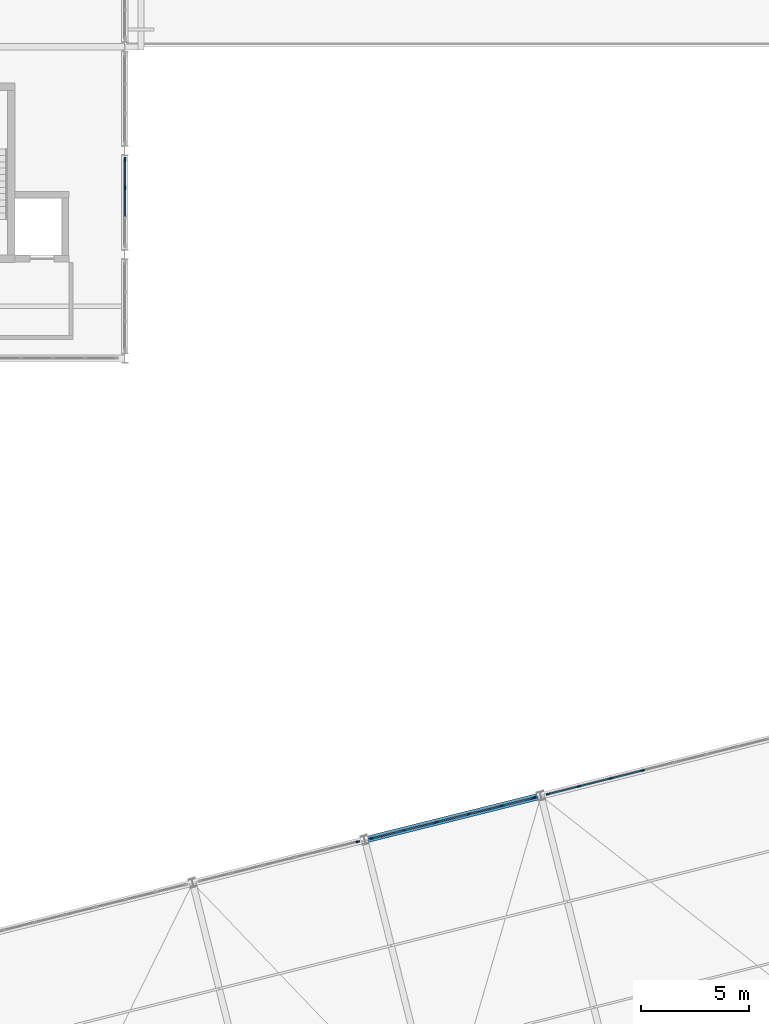
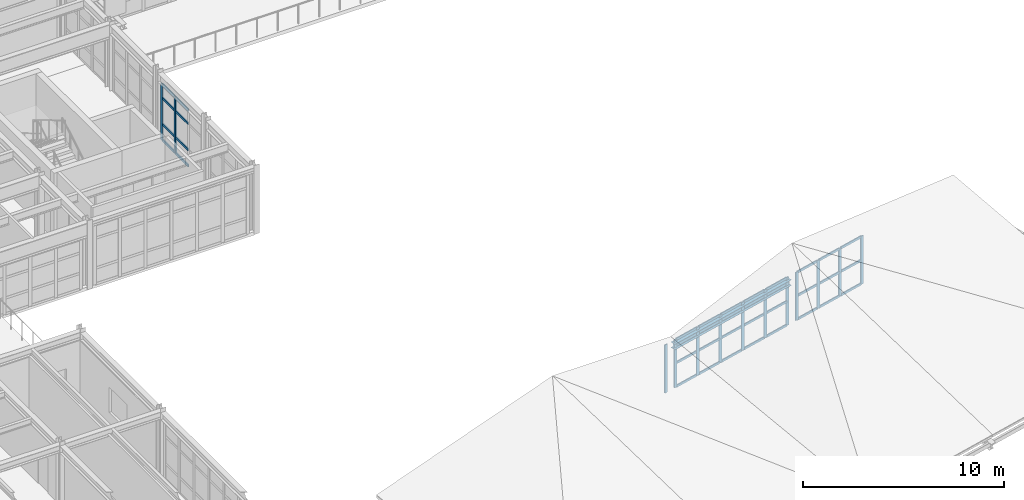
# One storey, part 16 of 47: 45 members, 1 beam, 4 elements without a shape of their own.
"""IFC4 building model written with IfcOpenShell, lengths in metres."""

from ifc_helpers import new_model, si_unit, direction, frame, origin, origin_2d, place, context, subcontext, project, spatial, rectangle, i_section, extrude, material, layer, layer_set, material_profile, profile_set, type_object, element, aggregate, save


model = new_model("IFC4")

# Units and contexts
model_context = context("Model", 3, precision=1e-05, world=origin(), true_north=direction((0.0, 1.0)))
body_context = subcontext(model_context, "Body", "Model", "MODEL_VIEW")
ifc_project = project(units=[si_unit("LENGTHUNIT", "METRE"), si_unit("AREAUNIT", "SQUARE_METRE"), si_unit("VOLUMEUNIT", "CUBIC_METRE"), si_unit("PLANEANGLEUNIT", "RADIAN"), si_unit("MASSUNIT", "GRAM", prefix="KILO")], contexts=[model_context])

# Site, building, storey
site_placement = place(None, origin())
site = spatial("IfcSite", under=ifc_project, at=site_placement, CompositionType="ELEMENT")
building_placement = place(site_placement, origin())
building = spatial("IfcBuilding", under=site, at=building_placement, Name="Nordkorset Police Headquarters", CompositionType="ELEMENT")
storey_placement = place(building_placement, frame((0.0, 0.0, 22.050048828125)))
storey = spatial("IfcBuildingStorey", under=building, at=storey_placement, Name="L05", CompositionType="ELEMENT", Elevation=22.050048828125)

# Curtain wall, members
ifc_material_1 = material(Name="Aluminium alloy AW-6060", Category="aluminium")
ifc_layer_1 = layer(ifc_material_1, 0.179931640625, Name="Aluminium alloy AW-6060")
ifc_layer_set_1 = layer_set([ifc_layer_1], Name="Aluminium alloy AW-6060")
curtain_wall_type_1 = type_object("IfcCurtainWallType", Name="CW_Unit_408x344", PredefinedType="USERDEFINED", material=ifc_layer_set_1)
curtain_wall_1_placement = place(storey_placement, origin())
curtain_wall_1 = element("IfcCurtainWall", 1, at=curtain_wall_1_placement, inside=storey, type_object=curtain_wall_type_1, Name="Unitised Curtain Wall L05 V1E-1", ObjectType="UNITISED CURTAIN WALL", PredefinedType="USERDEFINED")
ifc_material_2 = material(Name="Aluminium alloy AW-6060", Category="aluminium")
ifc_material_profile_1 = material_profile(ifc_material_2, rectangle(XDim=0.06494140625, YDim=0.179931640625, at=origin_2d()), Name="ALU MULL 65x180")
ifc_profile_set_1 = profile_set([ifc_material_profile_1], Name="Aluminium alloy AW-6060")
member_type_1 = type_object("IfcMemberType", Name="CW_Mullion_65x180", PredefinedType="MULLION", material=ifc_profile_set_1)
member_1_placement = place(storey_placement, frame((28.800048828125, 91.080078125, 0.0), z_axis=(0.0, 0.0, 1.0), x_axis=(-1.0, 0.0, 0.0)))
member_1 = element("IfcMember", 2, at=member_1_placement, type_object=member_type_1, Name="CW-29 mullion 3", PredefinedType="MULLION", context=body_context, shape_type="SweptSolid", body=[
    extrude(rectangle(XDim=0.06494140625, YDim=0.179931640625, at=origin_2d()), origin(), (0.0, 0.0, 1.0), 3.43994140625),
])
member_2_placement = place(storey_placement, frame((28.800048828125, 92.407470703125, 0.0), z_axis=(0.0, 0.0, 1.0), x_axis=(-1.0, 0.0, 0.0)))
member_2 = element("IfcMember", 3, at=member_2_placement, type_object=member_type_1, Name="CW-29 mullion 4", PredefinedType="MULLION", context=body_context, shape_type="SweptSolid", body=[
    extrude(rectangle(XDim=0.06494140625, YDim=0.179931640625, at=origin_2d()), origin(), (0.0, 0.0, 1.0), 3.43994140625),
])

# Curtain wall, member
ifc_material_3 = material(Name="Aluminium alloy AW-6060", Category="aluminium")
ifc_layer_2 = layer(ifc_material_3, 0.179931640625, Name="Aluminium alloy AW-6060")
ifc_layer_set_2 = layer_set([ifc_layer_2], Name="Aluminium alloy AW-6060")
curtain_wall_type_2 = type_object("IfcCurtainWallType", Name="CW_Unit_760x293", PredefinedType="USERDEFINED", material=ifc_layer_set_2)
curtain_wall_2_placement = place(storey_placement, origin())
curtain_wall_2 = element("IfcCurtainWall", 4, at=curtain_wall_2_placement, inside=storey, type_object=curtain_wall_type_2, Name="Unitised Curtain Wall L05 V4CLER-1", ObjectType="UNITISED CURTAIN WALL", PredefinedType="USERDEFINED")
member_3_placement = place(storey_placement, frame((39.575927734375, 60.837158203125, 0.0), z_axis=(0.0, 0.0, 1.0), x_axis=(-0.242535625038, 0.970142500145, 0.0)))
member_3 = element("IfcMember", 5, at=member_3_placement, type_object=member_type_1, Name="CW-94 mullion 6", PredefinedType="MULLION", context=body_context, shape_type="SweptSolid", body=[
    extrude(rectangle(XDim=0.06494140625, YDim=0.179931640625, at=origin_2d()), origin(), (0.0, 0.0, 1.0), 2.929931640625),
])
aggregate(curtain_wall_2, [member_3])

# Curtain wall, members
ifc_material_4 = material(Name="Aluminium alloy AW-6060", Category="aluminium")
ifc_layer_3 = layer(ifc_material_4, 0.179931640625, Name="Aluminium alloy AW-6060")
ifc_layer_set_3 = layer_set([ifc_layer_3], Name="Aluminium alloy AW-6060")
curtain_wall_type_3 = type_object("IfcCurtainWallType", Name="CW_Unit_780x293", PredefinedType="USERDEFINED", material=ifc_layer_set_3)
curtain_wall_3_placement = place(storey_placement, origin())
curtain_wall_3 = element("IfcCurtainWall", 6, at=curtain_wall_3_placement, inside=storey, type_object=curtain_wall_type_3, Name="Unitised Curtain Wall L05 V4CLER-2", ObjectType="UNITISED CURTAIN WALL", PredefinedType="USERDEFINED")
member_4_placement = place(storey_placement, frame((40.220947265625, 60.99853515625, 0.0), z_axis=(0.0, 0.0, 1.0), x_axis=(-0.242535926701, 0.970142424729, 0.0)))
member_4 = element("IfcMember", 7, at=member_4_placement, type_object=member_type_1, Name="CW-60 mullion 1", PredefinedType="MULLION", context=body_context, shape_type="SweptSolid", body=[
    extrude(rectangle(XDim=0.06494140625, YDim=0.179931640625, at=origin_2d()), origin(), (0.0, 0.0, 1.0), 2.929931640625),
])
member_5_placement = place(storey_placement, frame((41.702880859375, 61.368896484375, 0.0), z_axis=(0.0, 0.0, 1.0), x_axis=(-0.242535926701, 0.970142424729, 0.0)))
member_5 = element("IfcMember", 8, at=member_5_placement, type_object=member_type_1, Name="CW-60 mullion 2", PredefinedType="MULLION", context=body_context, shape_type="SweptSolid", body=[
    extrude(rectangle(XDim=0.06494140625, YDim=0.179931640625, at=origin_2d()), origin(), (0.0, 0.0, 1.0), 2.929931640625),
])
member_6_placement = place(storey_placement, frame((43.21630859375, 61.747314453125, 0.0), z_axis=(0.0, 0.0, 1.0), x_axis=(-0.242535926701, 0.970142424729, 0.0)))
member_6 = element("IfcMember", 9, at=member_6_placement, type_object=member_type_1, Name="CW-60 mullion 3", PredefinedType="MULLION", context=body_context, shape_type="SweptSolid", body=[
    extrude(rectangle(XDim=0.06494140625, YDim=0.179931640625, at=origin_2d()), origin(), (0.0, 0.0, 1.0), 2.929931640625),
])
member_7_placement = place(storey_placement, frame((44.729736328125, 62.12548828125, 0.0), z_axis=(0.0, 0.0, 1.0), x_axis=(-0.242535926701, 0.970142424729, 0.0)))
member_7 = element("IfcMember", 10, at=member_7_placement, type_object=member_type_1, Name="CW-60 mullion 4", PredefinedType="MULLION", context=body_context, shape_type="SweptSolid", body=[
    extrude(rectangle(XDim=0.06494140625, YDim=0.179931640625, at=origin_2d()), origin(), (0.0, 0.0, 1.0), 2.929931640625),
])
member_8_placement = place(storey_placement, frame((46.2431640625, 62.50390625, 0.0), z_axis=(0.0, 0.0, 1.0), x_axis=(-0.242535926701, 0.970142424729, 0.0)))
member_8 = element("IfcMember", 11, at=member_8_placement, type_object=member_type_1, Name="CW-60 mullion 5", PredefinedType="MULLION", context=body_context, shape_type="SweptSolid", body=[
    extrude(rectangle(XDim=0.06494140625, YDim=0.179931640625, at=origin_2d()), origin(), (0.0, 0.0, 1.0), 2.929931640625),
])
member_9_placement = place(storey_placement, frame((47.72509765625, 62.87451171875, 0.0), z_axis=(0.0, 0.0, 1.0), x_axis=(-0.242535926701, 0.970142424729, 0.0)))
member_9 = element("IfcMember", 12, at=member_9_placement, type_object=member_type_1, Name="CW-60 mullion 6", PredefinedType="MULLION", context=body_context, shape_type="SweptSolid", body=[
    extrude(rectangle(XDim=0.06494140625, YDim=0.179931640625, at=origin_2d()), origin(), (0.0, 0.0, 1.0), 2.929931640625),
])

ifc_material_5 = material(Name="Aluminium alloy AW-6060", Category="aluminium")
ifc_layer_4 = layer(ifc_material_5, 0.179931640625, Name="Aluminium alloy AW-6060")
ifc_layer_set_4 = layer_set([ifc_layer_4], Name="Aluminium alloy AW-6060")
curtain_wall_type_4 = type_object("IfcCurtainWallType", Name="CW_Unit_1060x293", PredefinedType="USERDEFINED", material=ifc_layer_set_4)
curtain_wall_4_placement = place(storey_placement, origin())
curtain_wall_4 = element("IfcCurtainWall", 13, at=curtain_wall_4_placement, inside=storey, type_object=curtain_wall_type_4, Name="Unitised Curtain Wall L05 V4CLER-3", ObjectType="UNITISED CURTAIN WALL", PredefinedType="USERDEFINED")
member_10_placement = place(storey_placement, frame((48.3701171875, 63.03564453125, 0.0), z_axis=(0.0, 0.0, 1.0), x_axis=(-0.242535847018, 0.97014244465, 0.0)))
member_10 = element("IfcMember", 14, at=member_10_placement, type_object=member_type_1, Name="CW-48 mullion 1", PredefinedType="MULLION", context=body_context, shape_type="SweptSolid", body=[
    extrude(rectangle(XDim=0.06494140625, YDim=0.179931640625, at=origin_2d()), origin(), (0.0, 0.0, 1.0), 2.929931640625),
])
member_11_placement = place(storey_placement, frame((49.8076171875, 63.39501953125, 0.0), z_axis=(0.0, 0.0, 1.0), x_axis=(-0.242535847018, 0.97014244465, 0.0)))
member_11 = element("IfcMember", 15, at=member_11_placement, type_object=member_type_1, Name="CW-48 mullion 2", PredefinedType="MULLION", context=body_context, shape_type="SweptSolid", body=[
    extrude(rectangle(XDim=0.06494140625, YDim=0.179931640625, at=origin_2d()), origin(), (0.0, 0.0, 1.0), 2.929931640625),
])
member_12_placement = place(storey_placement, frame((51.27685546875, 63.762451171875, 0.0), z_axis=(0.0, 0.0, 1.0), x_axis=(-0.242535847018, 0.97014244465, 0.0)))
member_12 = element("IfcMember", 16, at=member_12_placement, type_object=member_type_1, Name="CW-48 mullion 3", PredefinedType="MULLION", context=body_context, shape_type="SweptSolid", body=[
    extrude(rectangle(XDim=0.06494140625, YDim=0.179931640625, at=origin_2d()), origin(), (0.0, 0.0, 1.0), 2.929931640625),
])
member_13_placement = place(storey_placement, frame((52.745849609375, 64.129638671875, 0.0), z_axis=(0.0, 0.0, 1.0), x_axis=(-0.242535847018, 0.97014244465, 0.0)))
member_13 = element("IfcMember", 17, at=member_13_placement, type_object=member_type_1, Name="CW-48 mullion 4", PredefinedType="MULLION", context=body_context, shape_type="SweptSolid", body=[
    extrude(rectangle(XDim=0.06494140625, YDim=0.179931640625, at=origin_2d()), origin(), (0.0, 0.0, 1.0), 2.929931640625),
])

# Member
ifc_material_6 = material(Name="Aluminium alloy AW-6060", Category="aluminium")
ifc_material_profile_2 = material_profile(ifc_material_6, rectangle(XDim=0.06494140625, YDim=0.139892578125, at=origin_2d()), Name="ALU TRAN 65x140")
ifc_profile_set_2 = profile_set([ifc_material_profile_2], Name="Aluminium alloy AW-6060")
member_type_2 = type_object("IfcMemberType", Name="CW_Transom_65x140", PredefinedType="USERDEFINED", material=ifc_profile_set_2)
member_14_placement = place(storey_placement, frame((28.800048828125, 89.75244140625, 0.032470703125), z_axis=(0.0, 1.0, 0.0), x_axis=(-1.0, 0.0, 0.0)))
member_14 = element("IfcMember", 18, at=member_14_placement, type_object=member_type_2, Name="CW-29 transom 2.1", ObjectType="TRANSOM", PredefinedType="USERDEFINED", context=body_context, shape_type="SweptSolid", body=[
    extrude(rectangle(XDim=0.06494140625, YDim=0.139892578125, at=origin_2d()), origin(), (0.0, 0.0, 1.0), 1.295166015625),
])

member_15_placement = place(storey_placement, frame((28.800048828125, 89.75244140625, 1.0), z_axis=(0.0, 1.0, 0.0), x_axis=(-1.0, 0.0, 0.0)))
member_15 = element("IfcMember", 19, at=member_15_placement, type_object=member_type_2, Name="CW-29 transom 2.2", ObjectType="TRANSOM", PredefinedType="USERDEFINED", context=body_context, shape_type="SweptSolid", body=[
    extrude(rectangle(XDim=0.06494140625, YDim=0.139892578125, at=origin_2d()), origin(), (0.0, 0.0, 1.0), 1.295166015625),
])

member_16_placement = place(storey_placement, frame((28.800048828125, 89.75244140625, 2.58984375), z_axis=(0.0, 1.0, 0.0), x_axis=(-1.0, 0.0, 0.0)))
member_16 = element("IfcMember", 20, at=member_16_placement, type_object=member_type_2, Name="CW-29 transom 2.3", ObjectType="TRANSOM", PredefinedType="USERDEFINED", context=body_context, shape_type="SweptSolid", body=[
    extrude(rectangle(XDim=0.06494140625, YDim=0.139892578125, at=origin_2d()), origin(), (0.0, 0.0, 1.0), 1.295166015625),
])

member_17_placement = place(storey_placement, frame((28.800048828125, 89.75244140625, 3.407470703125), z_axis=(0.0, 1.0, 0.0), x_axis=(-1.0, 0.0, 0.0)))
member_17 = element("IfcMember", 21, at=member_17_placement, type_object=member_type_2, Name="CW-29 transom 2.4", ObjectType="TRANSOM", PredefinedType="USERDEFINED", context=body_context, shape_type="SweptSolid", body=[
    extrude(rectangle(XDim=0.06494140625, YDim=0.139892578125, at=origin_2d()), origin(), (0.0, 0.0, 1.0), 1.295166015625),
])

member_18_placement = place(storey_placement, frame((28.800048828125, 91.112548828125, 0.032470703125), z_axis=(0.0, 1.0, 0.0), x_axis=(-1.0, 0.0, 0.0)))
member_18 = element("IfcMember", 22, at=member_18_placement, type_object=member_type_2, Name="CW-29 transom 3.1", ObjectType="TRANSOM", PredefinedType="USERDEFINED", context=body_context, shape_type="SweptSolid", body=[
    extrude(rectangle(XDim=0.06494140625, YDim=0.139892578125, at=origin_2d()), origin(), (0.0, 0.0, 1.0), 1.262451171875),
])

member_19_placement = place(storey_placement, frame((28.800048828125, 91.112548828125, 1.0), z_axis=(0.0, 1.0, 0.0), x_axis=(-1.0, 0.0, 0.0)))
member_19 = element("IfcMember", 23, at=member_19_placement, type_object=member_type_2, Name="CW-29 transom 3.2", ObjectType="TRANSOM", PredefinedType="USERDEFINED", context=body_context, shape_type="SweptSolid", body=[
    extrude(rectangle(XDim=0.06494140625, YDim=0.139892578125, at=origin_2d()), origin(), (0.0, 0.0, 1.0), 1.262451171875),
])

member_20_placement = place(storey_placement, frame((28.800048828125, 91.112548828125, 2.58984375), z_axis=(0.0, 1.0, 0.0), x_axis=(-1.0, 0.0, 0.0)))
member_20 = element("IfcMember", 24, at=member_20_placement, type_object=member_type_2, Name="CW-29 transom 3.3", ObjectType="TRANSOM", PredefinedType="USERDEFINED", context=body_context, shape_type="SweptSolid", body=[
    extrude(rectangle(XDim=0.06494140625, YDim=0.139892578125, at=origin_2d()), origin(), (0.0, 0.0, 1.0), 1.262451171875),
])

member_21_placement = place(storey_placement, frame((28.800048828125, 91.112548828125, 3.407470703125), z_axis=(0.0, 1.0, 0.0), x_axis=(-1.0, 0.0, 0.0)))
member_21 = element("IfcMember", 25, at=member_21_placement, type_object=member_type_2, Name="CW-29 transom 3.4", ObjectType="TRANSOM", PredefinedType="USERDEFINED", context=body_context, shape_type="SweptSolid", body=[
    extrude(rectangle(XDim=0.06494140625, YDim=0.139892578125, at=origin_2d()), origin(), (0.0, 0.0, 1.0), 1.262451171875),
])

aggregate(curtain_wall_1, [member_1, member_2, member_14, member_15, member_16, member_17, member_18, member_19, member_20, member_21])

member_22_placement = place(storey_placement, frame((40.25244140625, 61.00634765625, 0.032470703125), z_axis=(0.970142500145, 0.242535625036, 0.0), x_axis=(-0.242535625036, 0.970142500145, 0.0)))
member_22 = element("IfcMember", 26, at=member_22_placement, type_object=member_type_2, Name="CW-60 transom 1.1", ObjectType="TRANSOM", PredefinedType="USERDEFINED", context=body_context, shape_type="SweptSolid", body=[
    extrude(rectangle(XDim=0.06494140625, YDim=0.139892578125, at=origin_2d()), origin(), (0.0, 0.0, 1.0), 1.462646484375),
])

member_23_placement = place(storey_placement, frame((40.25244140625, 61.00634765625, 1.46484375), z_axis=(0.970142500145, 0.242535625036, 0.0), x_axis=(-0.242535625036, 0.970142500145, 0.0)))
member_23 = element("IfcMember", 27, at=member_23_placement, type_object=member_type_2, Name="CW-60 transom 1.2", ObjectType="TRANSOM", PredefinedType="USERDEFINED", context=body_context, shape_type="SweptSolid", body=[
    extrude(rectangle(XDim=0.06494140625, YDim=0.139892578125, at=origin_2d()), origin(), (0.0, 0.0, 1.0), 1.462646484375),
])

member_24_placement = place(storey_placement, frame((40.25244140625, 61.00634765625, 2.8974609375), z_axis=(0.970142500145, 0.242535625036, 0.0), x_axis=(-0.242535625036, 0.970142500145, 0.0)))
member_24 = element("IfcMember", 28, at=member_24_placement, type_object=member_type_2, Name="CW-60 transom 1.3", ObjectType="TRANSOM", PredefinedType="USERDEFINED", context=body_context, shape_type="SweptSolid", body=[
    extrude(rectangle(XDim=0.06494140625, YDim=0.139892578125, at=origin_2d()), origin(), (0.0, 0.0, 1.0), 1.462646484375),
])

member_25_placement = place(storey_placement, frame((41.734375, 61.376708984375, 0.032470703125), z_axis=(0.970152105136, 0.242497201839, 0.0), x_axis=(-0.242497201839, 0.970152105136, 0.0)))
member_25 = element("IfcMember", 29, at=member_25_placement, type_object=member_type_2, Name="CW-60 transom 2.1", ObjectType="TRANSOM", PredefinedType="USERDEFINED", context=body_context, shape_type="SweptSolid", body=[
    extrude(rectangle(XDim=0.06494140625, YDim=0.139892578125, at=origin_2d()), origin(), (0.0, 0.0, 1.0), 1.4951171875),
])

member_26_placement = place(storey_placement, frame((41.734375, 61.376708984375, 1.46484375), z_axis=(0.970152105136, 0.242497201839, 0.0), x_axis=(-0.242497201839, 0.970152105136, 0.0)))
member_26 = element("IfcMember", 30, at=member_26_placement, type_object=member_type_2, Name="CW-60 transom 2.2", ObjectType="TRANSOM", PredefinedType="USERDEFINED", context=body_context, shape_type="SweptSolid", body=[
    extrude(rectangle(XDim=0.06494140625, YDim=0.139892578125, at=origin_2d()), origin(), (0.0, 0.0, 1.0), 1.4951171875),
])

member_27_placement = place(storey_placement, frame((41.734375, 61.376708984375, 2.8974609375), z_axis=(0.970152105136, 0.242497201839, 0.0), x_axis=(-0.242497201839, 0.970152105136, 0.0)))
member_27 = element("IfcMember", 31, at=member_27_placement, type_object=member_type_2, Name="CW-60 transom 2.3", ObjectType="TRANSOM", PredefinedType="USERDEFINED", context=body_context, shape_type="SweptSolid", body=[
    extrude(rectangle(XDim=0.06494140625, YDim=0.139892578125, at=origin_2d()), origin(), (0.0, 0.0, 1.0), 1.4951171875),
])

member_28_placement = place(storey_placement, frame((43.247802734375, 61.755126953125, 0.032470703125), z_axis=(0.970152105136, 0.242497201839, 0.0), x_axis=(-0.242497201839, 0.970152105136, 0.0)))
member_28 = element("IfcMember", 32, at=member_28_placement, type_object=member_type_2, Name="CW-60 transom 3.1", ObjectType="TRANSOM", PredefinedType="USERDEFINED", context=body_context, shape_type="SweptSolid", body=[
    extrude(rectangle(XDim=0.06494140625, YDim=0.139892578125, at=origin_2d()), origin(), (0.0, 0.0, 1.0), 1.4951171875),
])

member_29_placement = place(storey_placement, frame((43.247802734375, 61.755126953125, 1.46484375), z_axis=(0.970152105136, 0.242497201839, 0.0), x_axis=(-0.242497201839, 0.970152105136, 0.0)))
member_29 = element("IfcMember", 33, at=member_29_placement, type_object=member_type_2, Name="CW-60 transom 3.2", ObjectType="TRANSOM", PredefinedType="USERDEFINED", context=body_context, shape_type="SweptSolid", body=[
    extrude(rectangle(XDim=0.06494140625, YDim=0.139892578125, at=origin_2d()), origin(), (0.0, 0.0, 1.0), 1.4951171875),
])

member_30_placement = place(storey_placement, frame((43.247802734375, 61.755126953125, 2.8974609375), z_axis=(0.970152105136, 0.242497201839, 0.0), x_axis=(-0.242497201839, 0.970152105136, 0.0)))
member_30 = element("IfcMember", 34, at=member_30_placement, type_object=member_type_2, Name="CW-60 transom 3.3", ObjectType="TRANSOM", PredefinedType="USERDEFINED", context=body_context, shape_type="SweptSolid", body=[
    extrude(rectangle(XDim=0.06494140625, YDim=0.139892578125, at=origin_2d()), origin(), (0.0, 0.0, 1.0), 1.4951171875),
])

member_31_placement = place(storey_placement, frame((44.76123046875, 62.133544921875, 0.032470703125), z_axis=(0.970152105136, 0.242497201839, 0.0), x_axis=(-0.242497201839, 0.970152105136, 0.0)))
member_31 = element("IfcMember", 35, at=member_31_placement, type_object=member_type_2, Name="CW-60 transom 4.1", ObjectType="TRANSOM", PredefinedType="USERDEFINED", context=body_context, shape_type="SweptSolid", body=[
    extrude(rectangle(XDim=0.06494140625, YDim=0.139892578125, at=origin_2d()), origin(), (0.0, 0.0, 1.0), 1.4951171875),
])

member_32_placement = place(storey_placement, frame((44.76123046875, 62.133544921875, 1.46484375), z_axis=(0.970152105136, 0.242497201839, 0.0), x_axis=(-0.242497201839, 0.970152105136, 0.0)))
member_32 = element("IfcMember", 36, at=member_32_placement, type_object=member_type_2, Name="CW-60 transom 4.2", ObjectType="TRANSOM", PredefinedType="USERDEFINED", context=body_context, shape_type="SweptSolid", body=[
    extrude(rectangle(XDim=0.06494140625, YDim=0.139892578125, at=origin_2d()), origin(), (0.0, 0.0, 1.0), 1.4951171875),
])

member_33_placement = place(storey_placement, frame((44.76123046875, 62.133544921875, 2.8974609375), z_axis=(0.970152105136, 0.242497201839, 0.0), x_axis=(-0.242497201839, 0.970152105136, 0.0)))
member_33 = element("IfcMember", 37, at=member_33_placement, type_object=member_type_2, Name="CW-60 transom 4.3", ObjectType="TRANSOM", PredefinedType="USERDEFINED", context=body_context, shape_type="SweptSolid", body=[
    extrude(rectangle(XDim=0.06494140625, YDim=0.139892578125, at=origin_2d()), origin(), (0.0, 0.0, 1.0), 1.4951171875),
])

member_34_placement = place(storey_placement, frame((46.274658203125, 62.511962890625, 0.032470703125), z_axis=(0.970181764448, 0.242378513761, 0.0), x_axis=(-0.242378513761, 0.970181764448, 0.0)))
member_34 = element("IfcMember", 38, at=member_34_placement, type_object=member_type_2, Name="CW-60 transom 5.1", ObjectType="TRANSOM", PredefinedType="USERDEFINED", context=body_context, shape_type="SweptSolid", body=[
    extrude(rectangle(XDim=0.06494140625, YDim=0.139892578125, at=origin_2d()), origin(), (0.0, 0.0, 1.0), 1.462646484375),
])

member_35_placement = place(storey_placement, frame((46.274658203125, 62.511962890625, 1.46484375), z_axis=(0.970181764448, 0.242378513761, 0.0), x_axis=(-0.242378513761, 0.970181764448, 0.0)))
member_35 = element("IfcMember", 39, at=member_35_placement, type_object=member_type_2, Name="CW-60 transom 5.2", ObjectType="TRANSOM", PredefinedType="USERDEFINED", context=body_context, shape_type="SweptSolid", body=[
    extrude(rectangle(XDim=0.06494140625, YDim=0.139892578125, at=origin_2d()), origin(), (0.0, 0.0, 1.0), 1.462646484375),
])

member_36_placement = place(storey_placement, frame((46.274658203125, 62.511962890625, 2.8974609375), z_axis=(0.970181764448, 0.242378513761, 0.0), x_axis=(-0.242378513761, 0.970181764448, 0.0)))
member_36 = element("IfcMember", 40, at=member_36_placement, type_object=member_type_2, Name="CW-60 transom 5.3", ObjectType="TRANSOM", PredefinedType="USERDEFINED", context=body_context, shape_type="SweptSolid", body=[
    extrude(rectangle(XDim=0.06494140625, YDim=0.139892578125, at=origin_2d()), origin(), (0.0, 0.0, 1.0), 1.462646484375),
])

aggregate(curtain_wall_3, [member_4, member_5, member_6, member_7, member_8, member_9, member_22, member_23, member_24, member_25, member_26, member_27, member_28, member_29, member_30, member_31, member_32, member_33, member_34, member_35, member_36])

member_37_placement = place(storey_placement, frame((48.401611328125, 63.043701171875, 0.032470703125), z_axis=(0.970162769722, 0.242454532327, 0.0), x_axis=(-0.242454532327, 0.970162769722, 0.0)))
member_37 = element("IfcMember", 41, at=member_37_placement, type_object=member_type_2, Name="CW-48 transom 1.1", ObjectType="TRANSOM", PredefinedType="USERDEFINED", context=body_context, shape_type="SweptSolid", body=[
    extrude(rectangle(XDim=0.06494140625, YDim=0.139892578125, at=origin_2d()), origin(), (0.0, 0.0, 1.0), 1.416748046875),
])

member_38_placement = place(storey_placement, frame((48.401611328125, 63.043701171875, 1.46484375), z_axis=(0.970162769722, 0.242454532327, 0.0), x_axis=(-0.242454532327, 0.970162769722, 0.0)))
member_38 = element("IfcMember", 42, at=member_38_placement, type_object=member_type_2, Name="CW-48 transom 1.2", ObjectType="TRANSOM", PredefinedType="USERDEFINED", context=body_context, shape_type="SweptSolid", body=[
    extrude(rectangle(XDim=0.06494140625, YDim=0.139892578125, at=origin_2d()), origin(), (0.0, 0.0, 1.0), 1.416748046875),
])

member_39_placement = place(storey_placement, frame((48.401611328125, 63.043701171875, 2.8974609375), z_axis=(0.970162769722, 0.242454532327, 0.0), x_axis=(-0.242454532327, 0.970162769722, 0.0)))
member_39 = element("IfcMember", 43, at=member_39_placement, type_object=member_type_2, Name="CW-48 transom 1.3", ObjectType="TRANSOM", PredefinedType="USERDEFINED", context=body_context, shape_type="SweptSolid", body=[
    extrude(rectangle(XDim=0.06494140625, YDim=0.139892578125, at=origin_2d()), origin(), (0.0, 0.0, 1.0), 1.416748046875),
])

member_40_placement = place(storey_placement, frame((49.839111328125, 63.403076171875, 0.032470703125), z_axis=(0.970182118816, 0.242377095308, 0.0), x_axis=(-0.242377095308, 0.970182118816, 0.0)))
member_40 = element("IfcMember", 44, at=member_40_placement, type_object=member_type_2, Name="CW-48 transom 2.1", ObjectType="TRANSOM", PredefinedType="USERDEFINED", context=body_context, shape_type="SweptSolid", body=[
    extrude(rectangle(XDim=0.06494140625, YDim=0.139892578125, at=origin_2d()), origin(), (0.0, 0.0, 1.0), 1.449462890625),
])

member_41_placement = place(storey_placement, frame((49.839111328125, 63.403076171875, 1.46484375), z_axis=(0.970182118816, 0.242377095308, 0.0), x_axis=(-0.242377095308, 0.970182118816, 0.0)))
member_41 = element("IfcMember", 45, at=member_41_placement, type_object=member_type_2, Name="CW-48 transom 2.2", ObjectType="TRANSOM", PredefinedType="USERDEFINED", context=body_context, shape_type="SweptSolid", body=[
    extrude(rectangle(XDim=0.06494140625, YDim=0.139892578125, at=origin_2d()), origin(), (0.0, 0.0, 1.0), 1.449462890625),
])

member_42_placement = place(storey_placement, frame((49.839111328125, 63.403076171875, 2.8974609375), z_axis=(0.970182118816, 0.242377095308, 0.0), x_axis=(-0.242377095308, 0.970182118816, 0.0)))
member_42 = element("IfcMember", 46, at=member_42_placement, type_object=member_type_2, Name="CW-48 transom 2.3", ObjectType="TRANSOM", PredefinedType="USERDEFINED", context=body_context, shape_type="SweptSolid", body=[
    extrude(rectangle(XDim=0.06494140625, YDim=0.139892578125, at=origin_2d()), origin(), (0.0, 0.0, 1.0), 1.449462890625),
])

member_43_placement = place(storey_placement, frame((51.308349609375, 63.770263671875, 0.032470703125), z_axis=(0.970132590215, 0.242575261315, 0.0), x_axis=(-0.242575261315, 0.970132590215, 0.0)))
member_43 = element("IfcMember", 47, at=member_43_placement, type_object=member_type_2, Name="CW-48 transom 3.1", ObjectType="TRANSOM", PredefinedType="USERDEFINED", context=body_context, shape_type="SweptSolid", body=[
    extrude(rectangle(XDim=0.06494140625, YDim=0.139892578125, at=origin_2d()), origin(), (0.0, 0.0, 1.0), 1.44921875),
])

member_44_placement = place(storey_placement, frame((51.308349609375, 63.770263671875, 1.46484375), z_axis=(0.970132590215, 0.242575261315, 0.0), x_axis=(-0.242575261315, 0.970132590215, 0.0)))
member_44 = element("IfcMember", 48, at=member_44_placement, type_object=member_type_2, Name="CW-48 transom 3.2", ObjectType="TRANSOM", PredefinedType="USERDEFINED", context=body_context, shape_type="SweptSolid", body=[
    extrude(rectangle(XDim=0.06494140625, YDim=0.139892578125, at=origin_2d()), origin(), (0.0, 0.0, 1.0), 1.44921875),
])

member_45_placement = place(storey_placement, frame((51.308349609375, 63.770263671875, 2.8974609375), z_axis=(0.970132590215, 0.242575261315, 0.0), x_axis=(-0.242575261315, 0.970132590215, 0.0)))
member_45 = element("IfcMember", 49, at=member_45_placement, type_object=member_type_2, Name="CW-48 transom 3.3", ObjectType="TRANSOM", PredefinedType="USERDEFINED", context=body_context, shape_type="SweptSolid", body=[
    extrude(rectangle(XDim=0.06494140625, YDim=0.139892578125, at=origin_2d()), origin(), (0.0, 0.0, 1.0), 1.44921875),
])

aggregate(curtain_wall_4, [member_10, member_11, member_12, member_13, member_37, member_38, member_39, member_40, member_41, member_42, member_43, member_44, member_45])

# Beam
ifc_material_7 = material(Name="Steel S355J2", Category="steel")
ifc_material_profile_3 = material_profile(ifc_material_7, i_section(OverallWidth=0.300048828125, OverallDepth=0.35009765625, WebThickness=0.010009765625, FlangeThickness=0.017578125, FilletRadius=0.027099609375, at=origin_2d()), Name="HEA 360")
ifc_profile_set_3 = profile_set([ifc_material_profile_3], Name="Steel S355J2")
beam_type = type_object("IfcBeamType", Name="Girder_HEA_360", PredefinedType="USERDEFINED", material=ifc_profile_set_3)
beam_placement = place(storey_placement, frame((40.0537109375, 60.95654296875, 2.58984375), z_axis=(0.970140722716, 0.242542734645, 0.0), x_axis=(-0.242542734645, 0.970140722716, 0.0)))
element("IfcBeam", 50, at=beam_placement, inside=storey, type_object=beam_type, Name="Splayed Wing Clerestory Roof Tie Girder 3", ObjectType="GIRDER", PredefinedType="USERDEFINED", context=body_context, shape_type="SweptSolid", body=[
    extrude(i_section(OverallWidth=0.300048828125, OverallDepth=0.35009765625, WebThickness=0.010009765625, FlangeThickness=0.017578125, FilletRadius=0.027099609375, at=origin_2d()), origin(), (0.0, 0.0, 1.0), 8.079833984375),
])

save(model, "model.ifc")
